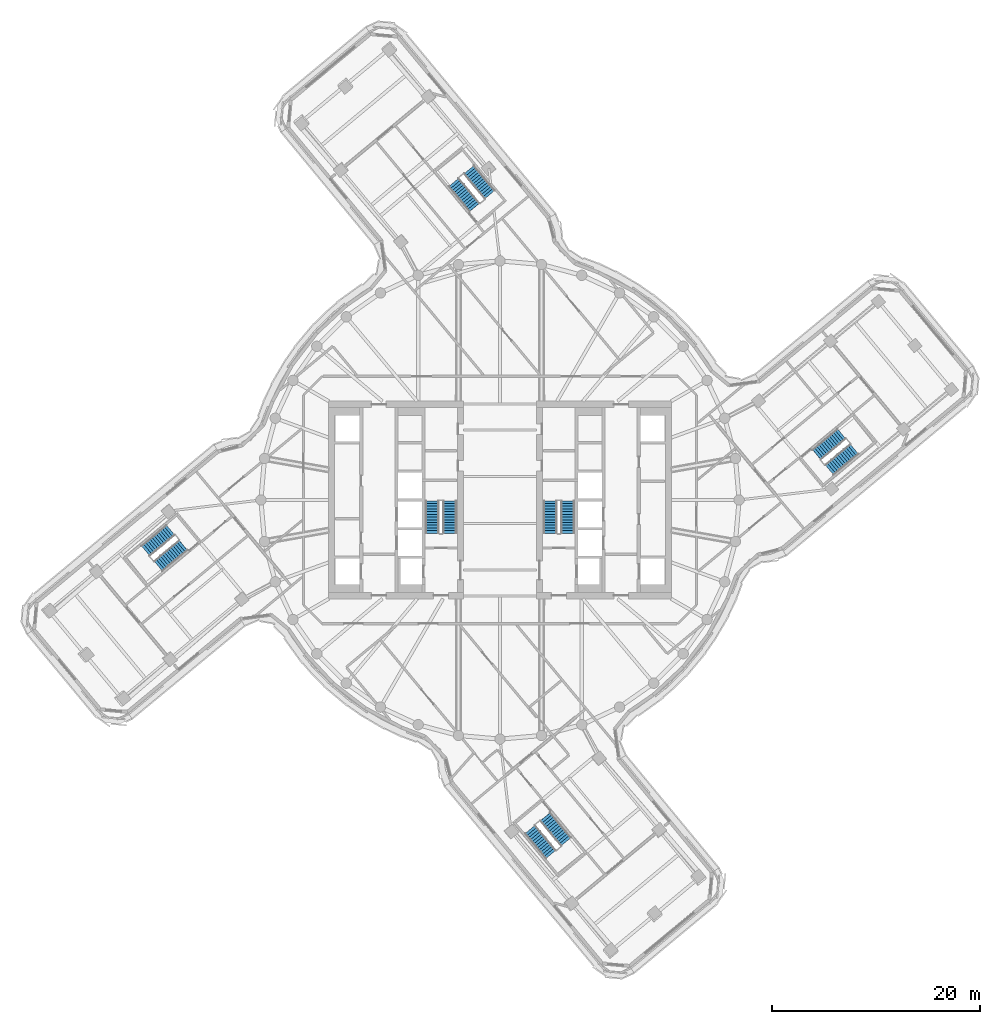
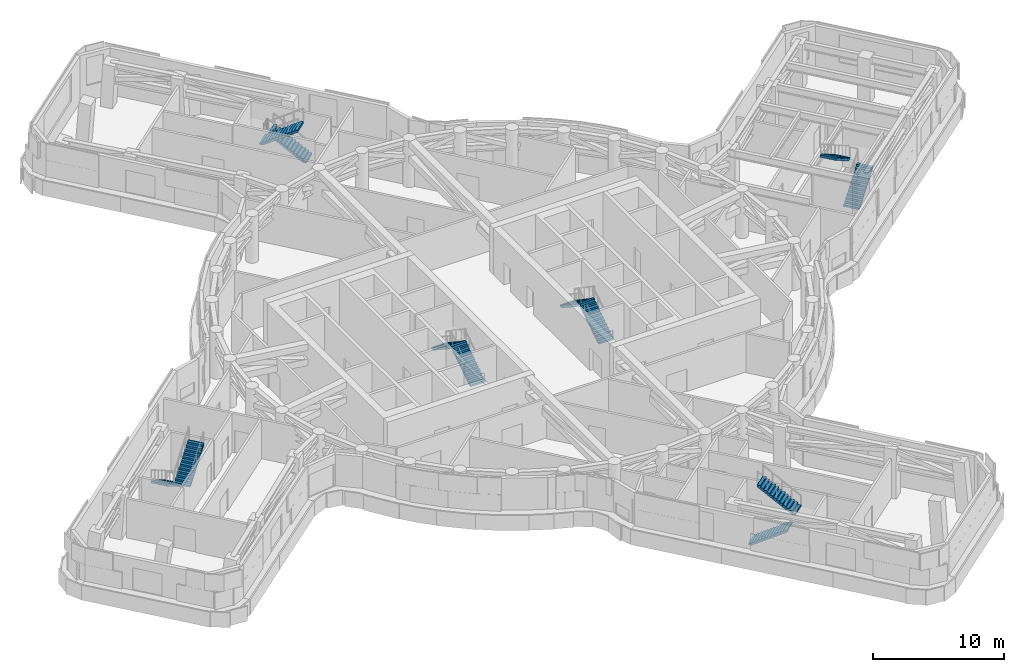
# One storey, part 14 of 22: 12 stair flights, 6 elements without a shape of their own.
"""IFC4 building model written with IfcOpenShell, lengths in metres."""

from ifc_helpers import new_model, si_unit, direction, frame, origin, place, context, subcontext, project, spatial, polyline, outline, extrude, material, type_object, element, aggregate, save


model = new_model("IFC4")

# Units and contexts
model_context = context("Model", 3, precision=1e-05, world=origin(), true_north=direction((0.0, 1.0)))
body_context = subcontext(model_context, "Body", "Model", "MODEL_VIEW")
ifc_project = project(units=[si_unit("LENGTHUNIT", "METRE"), si_unit("AREAUNIT", "SQUARE_METRE"), si_unit("VOLUMEUNIT", "CUBIC_METRE"), si_unit("PLANEANGLEUNIT", "RADIAN"), si_unit("MASSUNIT", "GRAM", prefix="KILO")], contexts=[model_context])

# Site, building, storey
site_placement = place(None, origin())
site = spatial("IfcSite", under=ifc_project, at=site_placement, CompositionType="ELEMENT")
building_placement = place(site_placement, origin())
building = spatial("IfcBuilding", under=site, at=building_placement, Name="Tamarind Cross Interchange Tower", CompositionType="ELEMENT")
storey_placement = place(building_placement, frame((0.0, 0.0, 178.0)))
storey = spatial("IfcBuildingStorey", under=building, at=storey_placement, Name="L44", CompositionType="ELEMENT", Elevation=178.0)

# Stair, stair flights
ifc_material_1 = material(Name="Exit stair")
stair_type = type_object("IfcStairType", Name="Exit stair", PredefinedType="HALF_TURN_STAIR", material=ifc_material_1)
stair_1_placement = place(storey_placement, origin())
stair_1 = element("IfcStair", 1, at=stair_1_placement, inside=storey, type_object=stair_type, Name="L44 exit stair ST1", PredefinedType="HALF_TURN_STAIR")
ifc_material_2 = material(Name="Exit stair flight")
stair_flight_type = type_object("IfcStairFlightType", Name="Exit stair flight", PredefinedType="STRAIGHT", material=ifc_material_2)
stair_flight_1_placement = place(storey_placement, frame((-4.85009765625, -3.199951171875, 0.0), z_axis=(0.0, 0.0, 1.0), x_axis=(0.0, 1.0, 0.0)))
stair_flight_1 = element("IfcStairFlight", 2, at=stair_flight_1_placement, type_object=stair_flight_type, Name="ST1 flight 1", NumberOfRisers=13, NumberOfTreads=12, PredefinedType="STRAIGHT", RiserHeight=0.173076923, TreadLength=0.26, context=body_context, shape_type="SweptSolid", body=[
    extrude(outline(polyline([(0.0, 0.0), (0.0, 0.173095703125), (0.260009765625, 0.173095703125), (0.260009765625, 0.34619140625), (0.52001953125, 0.34619140625), (0.52001953125, 0.519287109375), (0.780029296875, 0.519287109375), (0.780029296875, 0.6923828125), (1.0400390625, 0.6923828125), (1.0400390625, 0.865478515625), (1.300048828125, 0.865478515625), (1.300048828125, 1.03857421875), (1.56005859375, 1.03857421875), (1.56005859375, 1.21142578125), (1.820068359375, 1.21142578125), (1.820068359375, 1.384521484375), (2.080078125, 1.384521484375), (2.080078125, 1.5576171875), (2.340087890625, 1.5576171875), (2.340087890625, 1.730712890625), (2.60009765625, 1.730712890625), (2.60009765625, 1.90380859375), (2.860107421875, 1.90380859375), (2.860107421875, 2.076904296875), (3.1201171875, 2.076904296875), (3.1201171875, 2.25), (3.1201171875, 1.896728515625), (0.2705078125, 0.0), (0.0, 0.0)])), frame((0.0, 0.64990234375, 0.0), z_axis=(0.0, -1.0, 0.0), x_axis=(1.0, 0.0, 0.0)), (0.0, 0.0, 1.0), 1.300048828125),
])
stair_flight_2_placement = place(storey_placement, frame((-6.5, -0.080078125, 2.25), z_axis=(0.0, 0.0, 1.0), x_axis=(0.0, -1.0, 0.0)))
stair_flight_2 = element("IfcStairFlight", 3, at=stair_flight_2_placement, type_object=stair_flight_type, Name="ST1 flight 2", NumberOfRisers=13, NumberOfTreads=12, PredefinedType="STRAIGHT", RiserHeight=0.173076923, TreadLength=0.26, context=body_context, shape_type="SweptSolid", body=[
    extrude(outline(polyline([(0.0, 0.0), (0.0, 0.173095703125), (0.260009765625, 0.173095703125), (0.260009765625, 0.34619140625), (0.52001953125, 0.34619140625), (0.52001953125, 0.519287109375), (0.780029296875, 0.519287109375), (0.780029296875, 0.6923828125), (1.0400390625, 0.6923828125), (1.0400390625, 0.865478515625), (1.300048828125, 0.865478515625), (1.300048828125, 1.03857421875), (1.56005859375, 1.03857421875), (1.56005859375, 1.21142578125), (1.820068359375, 1.21142578125), (1.820068359375, 1.384521484375), (2.080078125, 1.384521484375), (2.080078125, 1.5576171875), (2.340087890625, 1.5576171875), (2.340087890625, 1.730712890625), (2.60009765625, 1.730712890625), (2.60009765625, 1.90380859375), (2.860107421875, 1.90380859375), (2.860107421875, 2.076904296875), (3.1201171875, 2.076904296875), (3.1201171875, 2.1298828125), (3.132080078125, 2.1298828125), (3.132080078125, 1.90478515625), (0.2705078125, 0.0), (0.0, 0.0)])), frame((0.0, 0.64990234375, 0.0), z_axis=(0.0, -1.0, 0.0), x_axis=(1.0, 0.0, 0.0)), (0.0, 0.0, 1.0), 1.300048828125),
])
aggregate(stair_1, [stair_flight_1, stair_flight_2])

stair_2_placement = place(storey_placement, origin())
stair_2 = element("IfcStair", 4, at=stair_2_placement, inside=storey, type_object=stair_type, Name="L44 exit stair ST2", PredefinedType="HALF_TURN_STAIR")
stair_flight_3_placement = place(storey_placement, frame((6.5, -3.199951171875, 0.0), z_axis=(0.0, 0.0, 1.0), x_axis=(0.0, 1.0, 0.0)))
stair_flight_3 = element("IfcStairFlight", 5, at=stair_flight_3_placement, type_object=stair_flight_type, Name="ST2 flight 1", NumberOfRisers=13, NumberOfTreads=12, PredefinedType="STRAIGHT", RiserHeight=0.173076923, TreadLength=0.26, context=body_context, shape_type="SweptSolid", body=[
    extrude(outline(polyline([(0.0, 0.0), (0.0, 0.173095703125), (0.260009765625, 0.173095703125), (0.260009765625, 0.34619140625), (0.52001953125, 0.34619140625), (0.52001953125, 0.519287109375), (0.780029296875, 0.519287109375), (0.780029296875, 0.6923828125), (1.0400390625, 0.6923828125), (1.0400390625, 0.865478515625), (1.300048828125, 0.865478515625), (1.300048828125, 1.03857421875), (1.56005859375, 1.03857421875), (1.56005859375, 1.21142578125), (1.820068359375, 1.21142578125), (1.820068359375, 1.384521484375), (2.080078125, 1.384521484375), (2.080078125, 1.5576171875), (2.340087890625, 1.5576171875), (2.340087890625, 1.730712890625), (2.60009765625, 1.730712890625), (2.60009765625, 1.90380859375), (2.860107421875, 1.90380859375), (2.860107421875, 2.076904296875), (3.1201171875, 2.076904296875), (3.1201171875, 2.25), (3.1201171875, 1.896728515625), (0.2705078125, 0.0), (0.0, 0.0)])), frame((0.0, 0.64990234375, 0.0), z_axis=(0.0, -1.0, 0.0), x_axis=(1.0, 0.0, 0.0)), (0.0, 0.0, 1.0), 1.300048828125),
])
stair_flight_4_placement = place(storey_placement, frame((4.85009765625, -0.080078125, 2.25), z_axis=(0.0, 0.0, 1.0), x_axis=(0.0, -1.0, 0.0)))
stair_flight_4 = element("IfcStairFlight", 6, at=stair_flight_4_placement, type_object=stair_flight_type, Name="ST2 flight 2", NumberOfRisers=13, NumberOfTreads=12, PredefinedType="STRAIGHT", RiserHeight=0.173076923, TreadLength=0.26, context=body_context, shape_type="SweptSolid", body=[
    extrude(outline(polyline([(0.0, 0.0), (0.0, 0.173095703125), (0.260009765625, 0.173095703125), (0.260009765625, 0.34619140625), (0.52001953125, 0.34619140625), (0.52001953125, 0.519287109375), (0.780029296875, 0.519287109375), (0.780029296875, 0.6923828125), (1.0400390625, 0.6923828125), (1.0400390625, 0.865478515625), (1.300048828125, 0.865478515625), (1.300048828125, 1.03857421875), (1.56005859375, 1.03857421875), (1.56005859375, 1.21142578125), (1.820068359375, 1.21142578125), (1.820068359375, 1.384521484375), (2.080078125, 1.384521484375), (2.080078125, 1.5576171875), (2.340087890625, 1.5576171875), (2.340087890625, 1.730712890625), (2.60009765625, 1.730712890625), (2.60009765625, 1.90380859375), (2.860107421875, 1.90380859375), (2.860107421875, 2.076904296875), (3.1201171875, 2.076904296875), (3.1201171875, 2.1298828125), (3.132080078125, 2.1298828125), (3.132080078125, 1.90478515625), (0.2705078125, 0.0), (0.0, 0.0)])), frame((0.0, 0.64990234375, 0.0), z_axis=(0.0, -1.0, 0.0), x_axis=(1.0, 0.0, 0.0)), (0.0, 0.0, 1.0), 1.300048828125),
])
aggregate(stair_2, [stair_flight_3, stair_flight_4])

stair_3_placement = place(storey_placement, origin())
stair_3 = element("IfcStair", 7, at=stair_3_placement, inside=storey, type_object=stair_type, Name="L44 exit stair ST3", PredefinedType="HALF_TURN_STAIR")
stair_flight_5_placement = place(storey_placement, frame((31.678466796875, 2.90185546875, 0.0), z_axis=(0.0, 0.0, 1.0), x_axis=(0.769372797728, 0.638800045488, 0.0)))
stair_flight_5 = element("IfcStairFlight", 8, at=stair_flight_5_placement, type_object=stair_flight_type, Name="ST3 flight 1", NumberOfRisers=13, NumberOfTreads=12, PredefinedType="STRAIGHT", RiserHeight=0.173076923, TreadLength=0.26, context=body_context, shape_type="SweptSolid", body=[
    extrude(outline(polyline([(0.0, 0.0), (0.0, 0.173095703125), (0.260009765625, 0.173095703125), (0.260009765625, 0.34619140625), (0.52001953125, 0.34619140625), (0.52001953125, 0.519287109375), (0.780029296875, 0.519287109375), (0.780029296875, 0.6923828125), (1.0400390625, 0.6923828125), (1.0400390625, 0.865478515625), (1.300048828125, 0.865478515625), (1.300048828125, 1.03857421875), (1.56005859375, 1.03857421875), (1.56005859375, 1.21142578125), (1.820068359375, 1.21142578125), (1.820068359375, 1.384521484375), (2.080078125, 1.384521484375), (2.080078125, 1.5576171875), (2.340087890625, 1.5576171875), (2.340087890625, 1.730712890625), (2.60009765625, 1.730712890625), (2.60009765625, 1.90380859375), (2.860107421875, 1.90380859375), (2.860107421875, 2.076904296875), (3.1201171875, 2.076904296875), (3.1201171875, 2.25), (3.1201171875, 1.896728515625), (0.2705078125, 0.0), (0.0, 0.0)])), frame((0.0, 0.64990234375, 0.0), z_axis=(0.0, -1.0, 0.0), x_axis=(1.0, 0.0, 0.0)), (0.0, 0.0, 1.0), 1.300048828125),
])
stair_flight_6_placement = place(storey_placement, frame((32.865234375, 6.356689453125, 2.25), z_axis=(0.0, 0.0, 1.0), x_axis=(-0.769372797728, -0.638800045488, 0.0)))
stair_flight_6 = element("IfcStairFlight", 9, at=stair_flight_6_placement, type_object=stair_flight_type, Name="ST3 flight 2", NumberOfRisers=13, NumberOfTreads=12, PredefinedType="STRAIGHT", RiserHeight=0.173076923, TreadLength=0.26, context=body_context, shape_type="SweptSolid", body=[
    extrude(outline(polyline([(0.0, 0.0), (0.0, 0.173095703125), (0.260009765625, 0.173095703125), (0.260009765625, 0.34619140625), (0.52001953125, 0.34619140625), (0.52001953125, 0.519287109375), (0.780029296875, 0.519287109375), (0.780029296875, 0.6923828125), (1.0400390625, 0.6923828125), (1.0400390625, 0.865478515625), (1.300048828125, 0.865478515625), (1.300048828125, 1.03857421875), (1.56005859375, 1.03857421875), (1.56005859375, 1.21142578125), (1.820068359375, 1.21142578125), (1.820068359375, 1.384521484375), (2.080078125, 1.384521484375), (2.080078125, 1.5576171875), (2.340087890625, 1.5576171875), (2.340087890625, 1.730712890625), (2.60009765625, 1.730712890625), (2.60009765625, 1.90380859375), (2.860107421875, 1.90380859375), (2.860107421875, 2.076904296875), (3.1201171875, 2.076904296875), (3.1201171875, 2.1298828125), (3.132080078125, 2.1298828125), (3.132080078125, 1.90478515625), (0.2705078125, 0.0), (0.0, 0.0)])), frame((0.0, 0.64990234375, 0.0), z_axis=(0.0, -1.0, 0.0), x_axis=(1.0, 0.0, 0.0)), (0.0, 0.0, 1.0), 1.300048828125),
])
aggregate(stair_3, [stair_flight_5, stair_flight_6])

stair_4_placement = place(storey_placement, origin())
stair_4 = element("IfcStair", 10, at=stair_4_placement, inside=storey, type_object=stair_type, Name="L44 exit stair ST4", PredefinedType="HALF_TURN_STAIR")
stair_flight_7_placement = place(storey_placement, frame((-0.9853515625, 29.370361328125, 0.0), z_axis=(0.0, 0.0, 1.0), x_axis=(-0.638800045488, 0.769372797728, 0.0)))
stair_flight_7 = element("IfcStairFlight", 11, at=stair_flight_7_placement, type_object=stair_flight_type, Name="ST4 flight 1", NumberOfRisers=13, NumberOfTreads=12, PredefinedType="STRAIGHT", RiserHeight=0.173076923, TreadLength=0.26, context=body_context, shape_type="SweptSolid", body=[
    extrude(outline(polyline([(0.0, 0.0), (0.0, 0.173095703125), (0.260009765625, 0.173095703125), (0.260009765625, 0.34619140625), (0.52001953125, 0.34619140625), (0.52001953125, 0.519287109375), (0.780029296875, 0.519287109375), (0.780029296875, 0.6923828125), (1.0400390625, 0.6923828125), (1.0400390625, 0.865478515625), (1.300048828125, 0.865478515625), (1.300048828125, 1.03857421875), (1.56005859375, 1.03857421875), (1.56005859375, 1.21142578125), (1.820068359375, 1.21142578125), (1.820068359375, 1.384521484375), (2.080078125, 1.384521484375), (2.080078125, 1.5576171875), (2.340087890625, 1.5576171875), (2.340087890625, 1.730712890625), (2.60009765625, 1.730712890625), (2.60009765625, 1.90380859375), (2.860107421875, 1.90380859375), (2.860107421875, 2.076904296875), (3.1201171875, 2.076904296875), (3.1201171875, 2.25), (3.1201171875, 1.896728515625), (0.2705078125, 0.0), (0.0, 0.0)])), frame((0.0, 0.64990234375, 0.0), z_axis=(0.0, -1.0, 0.0), x_axis=(1.0, 0.0, 0.0)), (0.0, 0.0, 1.0), 1.300048828125),
])
stair_flight_8_placement = place(storey_placement, frame((-4.440185546875, 30.55712890625, 2.25), z_axis=(0.0, 0.0, 1.0), x_axis=(0.638800045488, -0.769372797728, 0.0)))
stair_flight_8 = element("IfcStairFlight", 12, at=stair_flight_8_placement, type_object=stair_flight_type, Name="ST4 flight 2", NumberOfRisers=13, NumberOfTreads=12, PredefinedType="STRAIGHT", RiserHeight=0.173076923, TreadLength=0.26, context=body_context, shape_type="SweptSolid", body=[
    extrude(outline(polyline([(0.0, 0.0), (0.0, 0.173095703125), (0.260009765625, 0.173095703125), (0.260009765625, 0.34619140625), (0.52001953125, 0.34619140625), (0.52001953125, 0.519287109375), (0.780029296875, 0.519287109375), (0.780029296875, 0.6923828125), (1.0400390625, 0.6923828125), (1.0400390625, 0.865478515625), (1.300048828125, 0.865478515625), (1.300048828125, 1.03857421875), (1.56005859375, 1.03857421875), (1.56005859375, 1.21142578125), (1.820068359375, 1.21142578125), (1.820068359375, 1.384521484375), (2.080078125, 1.384521484375), (2.080078125, 1.5576171875), (2.340087890625, 1.5576171875), (2.340087890625, 1.730712890625), (2.60009765625, 1.730712890625), (2.60009765625, 1.90380859375), (2.860107421875, 1.90380859375), (2.860107421875, 2.076904296875), (3.1201171875, 2.076904296875), (3.1201171875, 2.1298828125), (3.132080078125, 2.1298828125), (3.132080078125, 1.90478515625), (0.2705078125, 0.0), (0.0, 0.0)])), frame((0.0, 0.64990234375, 0.0), z_axis=(0.0, -1.0, 0.0), x_axis=(1.0, 0.0, 0.0)), (0.0, 0.0, 1.0), 1.300048828125),
])
aggregate(stair_4, [stair_flight_7, stair_flight_8])

stair_5_placement = place(storey_placement, origin())
stair_5 = element("IfcStair", 13, at=stair_5_placement, inside=storey, type_object=stair_type, Name="L44 exit stair ST5", PredefinedType="HALF_TURN_STAIR")
stair_flight_9_placement = place(storey_placement, frame((-31.678466796875, -2.90185546875, 0.0), z_axis=(0.0, 0.0, 1.0), x_axis=(-0.769372797728, -0.638800045488, 0.0)))
stair_flight_9 = element("IfcStairFlight", 14, at=stair_flight_9_placement, type_object=stair_flight_type, Name="ST5 flight 1", NumberOfRisers=13, NumberOfTreads=12, PredefinedType="STRAIGHT", RiserHeight=0.173076923, TreadLength=0.26, context=body_context, shape_type="SweptSolid", body=[
    extrude(outline(polyline([(0.0, 0.0), (0.0, 0.173095703125), (0.260009765625, 0.173095703125), (0.260009765625, 0.34619140625), (0.52001953125, 0.34619140625), (0.52001953125, 0.519287109375), (0.780029296875, 0.519287109375), (0.780029296875, 0.6923828125), (1.0400390625, 0.6923828125), (1.0400390625, 0.865478515625), (1.300048828125, 0.865478515625), (1.300048828125, 1.03857421875), (1.56005859375, 1.03857421875), (1.56005859375, 1.21142578125), (1.820068359375, 1.21142578125), (1.820068359375, 1.384521484375), (2.080078125, 1.384521484375), (2.080078125, 1.5576171875), (2.340087890625, 1.5576171875), (2.340087890625, 1.730712890625), (2.60009765625, 1.730712890625), (2.60009765625, 1.90380859375), (2.860107421875, 1.90380859375), (2.860107421875, 2.076904296875), (3.1201171875, 2.076904296875), (3.1201171875, 2.25), (3.1201171875, 1.896728515625), (0.2705078125, 0.0), (0.0, 0.0)])), frame((0.0, 0.64990234375, 0.0), z_axis=(0.0, -1.0, 0.0), x_axis=(1.0, 0.0, 0.0)), (0.0, 0.0, 1.0), 1.300048828125),
])
stair_flight_10_placement = place(storey_placement, frame((-32.865234375, -6.356689453125, 2.25), z_axis=(0.0, 0.0, 1.0), x_axis=(0.769372797728, 0.638800045488, 0.0)))
stair_flight_10 = element("IfcStairFlight", 15, at=stair_flight_10_placement, type_object=stair_flight_type, Name="ST5 flight 2", NumberOfRisers=13, NumberOfTreads=12, PredefinedType="STRAIGHT", RiserHeight=0.173076923, TreadLength=0.26, context=body_context, shape_type="SweptSolid", body=[
    extrude(outline(polyline([(0.0, 0.0), (0.0, 0.173095703125), (0.260009765625, 0.173095703125), (0.260009765625, 0.34619140625), (0.52001953125, 0.34619140625), (0.52001953125, 0.519287109375), (0.780029296875, 0.519287109375), (0.780029296875, 0.6923828125), (1.0400390625, 0.6923828125), (1.0400390625, 0.865478515625), (1.300048828125, 0.865478515625), (1.300048828125, 1.03857421875), (1.56005859375, 1.03857421875), (1.56005859375, 1.21142578125), (1.820068359375, 1.21142578125), (1.820068359375, 1.384521484375), (2.080078125, 1.384521484375), (2.080078125, 1.5576171875), (2.340087890625, 1.5576171875), (2.340087890625, 1.730712890625), (2.60009765625, 1.730712890625), (2.60009765625, 1.90380859375), (2.860107421875, 1.90380859375), (2.860107421875, 2.076904296875), (3.1201171875, 2.076904296875), (3.1201171875, 2.1298828125), (3.132080078125, 2.1298828125), (3.132080078125, 1.90478515625), (0.2705078125, 0.0), (0.0, 0.0)])), frame((0.0, 0.64990234375, 0.0), z_axis=(0.0, -1.0, 0.0), x_axis=(1.0, 0.0, 0.0)), (0.0, 0.0, 1.0), 1.300048828125),
])
aggregate(stair_5, [stair_flight_9, stair_flight_10])

stair_6_placement = place(storey_placement, origin())
stair_6 = element("IfcStair", 16, at=stair_6_placement, inside=storey, type_object=stair_type, Name="L44 exit stair ST6", PredefinedType="HALF_TURN_STAIR")
stair_flight_11_placement = place(storey_placement, frame((2.90185546875, -31.678466796875, 0.0), z_axis=(0.0, 0.0, 1.0), x_axis=(0.638800045488, -0.769372797728, 0.0)))
stair_flight_11 = element("IfcStairFlight", 17, at=stair_flight_11_placement, type_object=stair_flight_type, Name="ST6 flight 1", NumberOfRisers=13, NumberOfTreads=12, PredefinedType="STRAIGHT", RiserHeight=0.173076923, TreadLength=0.26, context=body_context, shape_type="SweptSolid", body=[
    extrude(outline(polyline([(0.0, 0.0), (0.0, 0.173095703125), (0.260009765625, 0.173095703125), (0.260009765625, 0.34619140625), (0.52001953125, 0.34619140625), (0.52001953125, 0.519287109375), (0.780029296875, 0.519287109375), (0.780029296875, 0.6923828125), (1.0400390625, 0.6923828125), (1.0400390625, 0.865478515625), (1.300048828125, 0.865478515625), (1.300048828125, 1.03857421875), (1.56005859375, 1.03857421875), (1.56005859375, 1.21142578125), (1.820068359375, 1.21142578125), (1.820068359375, 1.384521484375), (2.080078125, 1.384521484375), (2.080078125, 1.5576171875), (2.340087890625, 1.5576171875), (2.340087890625, 1.730712890625), (2.60009765625, 1.730712890625), (2.60009765625, 1.90380859375), (2.860107421875, 1.90380859375), (2.860107421875, 2.076904296875), (3.1201171875, 2.076904296875), (3.1201171875, 2.25), (3.1201171875, 1.896728515625), (0.2705078125, 0.0), (0.0, 0.0)])), frame((0.0, 0.64990234375, 0.0), z_axis=(0.0, -1.0, 0.0), x_axis=(1.0, 0.0, 0.0)), (0.0, 0.0, 1.0), 1.300048828125),
])
stair_flight_12_placement = place(storey_placement, frame((6.356689453125, -32.865234375, 2.25), z_axis=(0.0, 0.0, 1.0), x_axis=(-0.638800045488, 0.769372797728, 0.0)))
stair_flight_12 = element("IfcStairFlight", 18, at=stair_flight_12_placement, type_object=stair_flight_type, Name="ST6 flight 2", NumberOfRisers=13, NumberOfTreads=12, PredefinedType="STRAIGHT", RiserHeight=0.173076923, TreadLength=0.26, context=body_context, shape_type="SweptSolid", body=[
    extrude(outline(polyline([(0.0, 0.0), (0.0, 0.173095703125), (0.260009765625, 0.173095703125), (0.260009765625, 0.34619140625), (0.52001953125, 0.34619140625), (0.52001953125, 0.519287109375), (0.780029296875, 0.519287109375), (0.780029296875, 0.6923828125), (1.0400390625, 0.6923828125), (1.0400390625, 0.865478515625), (1.300048828125, 0.865478515625), (1.300048828125, 1.03857421875), (1.56005859375, 1.03857421875), (1.56005859375, 1.21142578125), (1.820068359375, 1.21142578125), (1.820068359375, 1.384521484375), (2.080078125, 1.384521484375), (2.080078125, 1.5576171875), (2.340087890625, 1.5576171875), (2.340087890625, 1.730712890625), (2.60009765625, 1.730712890625), (2.60009765625, 1.90380859375), (2.860107421875, 1.90380859375), (2.860107421875, 2.076904296875), (3.1201171875, 2.076904296875), (3.1201171875, 2.1298828125), (3.132080078125, 2.1298828125), (3.132080078125, 1.90478515625), (0.2705078125, 0.0), (0.0, 0.0)])), frame((0.0, 0.64990234375, 0.0), z_axis=(0.0, -1.0, 0.0), x_axis=(1.0, 0.0, 0.0)), (0.0, 0.0, 1.0), 1.300048828125),
])
aggregate(stair_6, [stair_flight_11, stair_flight_12])

save(model, "model.ifc")
